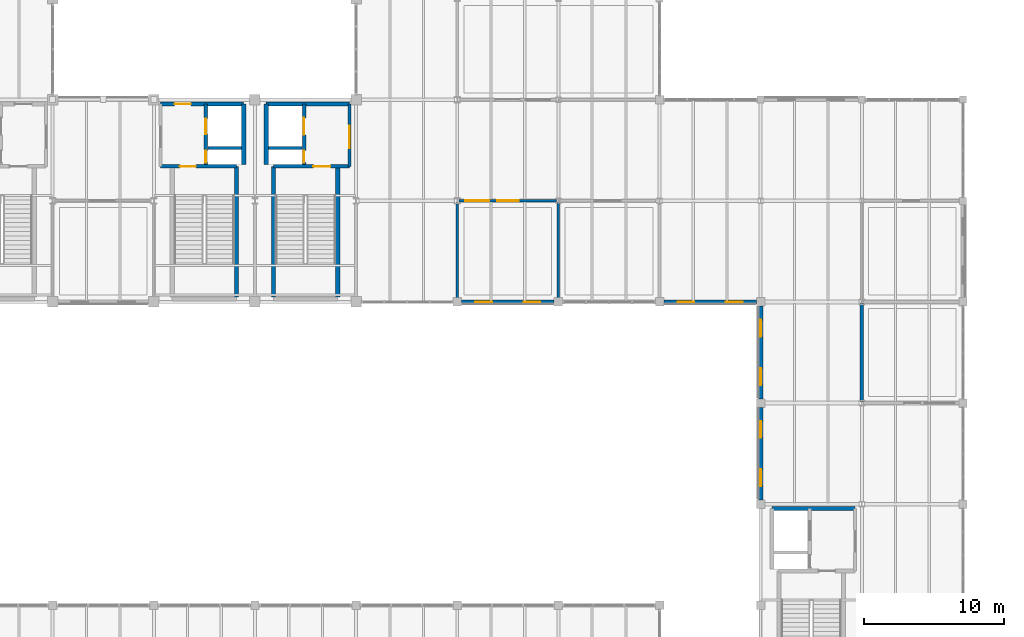
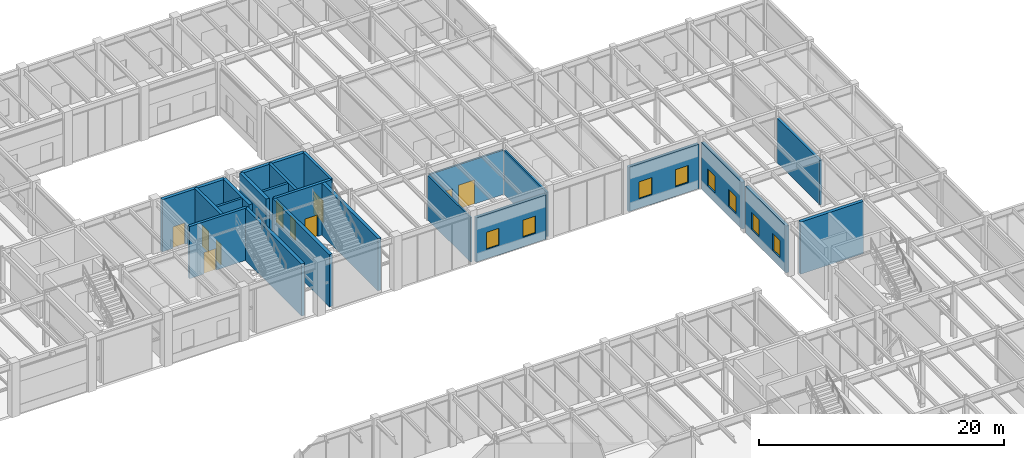
# One storey, part 42 of 97: 23 walls, 9 doors, 9 windows, 18 openings.
"""IFC4 building model written with IfcOpenShell, lengths in metres."""

from ifc_helpers import new_model, si_unit, direction, frame, frame_2d, origin, place, context, subcontext, project, spatial, rectangle, extrude, material, layer, layer_set, type_object, element, fill, save


model = new_model("IFC4")

# Units and contexts
model_context = context("Model", 3, precision=1e-05, world=origin(), true_north=direction((0.0, 1.0)))
body_context = subcontext(model_context, "Body", "Model", "MODEL_VIEW")
ifc_project = project(units=[si_unit("LENGTHUNIT", "METRE"), si_unit("AREAUNIT", "SQUARE_METRE"), si_unit("VOLUMEUNIT", "CUBIC_METRE"), si_unit("PLANEANGLEUNIT", "RADIAN"), si_unit("MASSUNIT", "GRAM", prefix="KILO")], contexts=[model_context])

# Site, building, storey
site_placement = place(None, origin())
site = spatial("IfcSite", under=ifc_project, at=site_placement, CompositionType="ELEMENT")
building_placement = place(site_placement, origin())
building = spatial("IfcBuilding", under=site, at=building_placement, Name="Sillqori Civic Hall", CompositionType="ELEMENT")
storey_placement = place(building_placement, origin())
storey = spatial("IfcBuildingStorey", under=building, at=storey_placement, Name="L01", CompositionType="ELEMENT", Elevation=0.0)

# Walls
ifc_material_1 = material(Name="Concrete C35/45 (H35)", Category="concrete")
ifc_layer_1 = layer(ifc_material_1, 0.219970703125)
ifc_layer_set_1 = layer_set([ifc_layer_1], Name="Concrete C35/45 (H35)")
wall_type_1 = type_object("IfcWallType", Name="CW-SHR-220", PredefinedType="SHEAR", material=ifc_layer_set_1)
for number, where, z_axis, x_axis, name in (
    (1, (83.050048828125, 90.14990234375, 0.0), (0.0, 0.0, 1.0), (1.0, 0.0, 0.0), "L01 C7 Lift-riser divider wall"),
    (2, (87.35009765625, 90.14990234375, 0.0), (0.0, 0.0, 1.0), (1.0, 0.0, 0.0), "L01 C8 Lift-riser divider wall"),
):
    element("IfcWall", number, at=place(storey_placement, frame(where, z_axis=z_axis, x_axis=x_axis)), inside=storey, type_object=wall_type_1, Name=name, PredefinedType="SHEAR", context=body_context, shape_type="SweptSolid", body=[
        extrude(rectangle(XDim=2.39990234375, YDim=0.219970703125, at=frame_2d((1.199951171875, 0.0))), origin(), (0.0, 0.0, 1.0), 5.199951171875),
    ])

# Wall, opening, door
wall_1_placement = place(storey_placement, frame((93.1201171875, 93.300048828125, 0.0), z_axis=(0.0, 0.0, 1.0), x_axis=(0.0, -1.0, 0.0)))
wall_1 = element("IfcWall", 3, at=wall_1_placement, inside=storey, type_object=wall_type_1, Name="L01 C8 firefighting lobby enclosure wall", PredefinedType="SHEAR", context=body_context, shape_type="SweptSolid", body=[
    extrude(rectangle(XDim=4.449951171875, YDim=0.219970703125, at=frame_2d((2.22509765625, 0.0))), origin(), (0.0, 0.0, 1.0), 5.199951171875),
])
opening_1_placement = place(wall_1_placement, frame((1.550048828125, 0.0, 0.0)))
opening_1 = element("IfcOpeningElement", 4, at=opening_1_placement, cuts=wall_1, Name="Opening FD-04", PredefinedType="OPENING", context=body_context, shape_type="SweptSolid", body=[
    extrude(rectangle(XDim=1.60009765625, YDim=2.199951171875, at=frame_2d((0.800048828125, 1.10009765625))), frame((0.0, 0.119873046875, 0.0), z_axis=(0.0, -1.0, 0.0), x_axis=(1.0, 0.0, 0.0)), (0.0, 0.0, 1.0), 0.239990234375),
])
ifc_material_2 = material(Name="Double-Leaf Firefighting Lobby Door", Category="steel")
door_type_1 = type_object("IfcDoorType", Name="FDR-LOB-160X220", OperationType="NOTDEFINED", PredefinedType="DOOR", material=ifc_material_2)
door_1_placement = place(opening_1_placement, origin())
door_1 = element("IfcDoor", 5, at=door_1_placement, inside=storey, type_object=door_type_1, Name="L01 C8 firefighting lobby exit door", OperationType="DOUBLE_DOOR_SINGLE_SWING", OverallHeight=2.199951171875, OverallWidth=1.60009765625, PredefinedType="DOOR", context=body_context, shape_type="SweptSolid", body=[
    extrude(rectangle(XDim=1.60009765625, YDim=2.199951171875, at=frame_2d((0.800048828125, 1.10009765625))), frame((0.0, 0.02490234375, 0.0), z_axis=(0.0, -1.0, 0.0), x_axis=(1.0, 0.0, 0.0)), (0.0, 0.0, 1.0), 0.050048828125),
])
fill(opening_1, door_1)

ifc_layer_2 = layer(ifc_material_1, 0.260009765625)
ifc_layer_set_2 = layer_set([ifc_layer_2], Name="Concrete C35/45 (H35)")
wall_type_2 = type_object("IfcWallType", Name="CW-SHR-260", PredefinedType="SHEAR", material=ifc_layer_set_2)
wall_2_placement = place(storey_placement, frame((79.679931640625, 88.85009765625, 0.0), z_axis=(0.0, 0.0, 1.0), x_axis=(1.0, 0.0, 0.0)))
wall_2 = element("IfcWall", 6, at=wall_2_placement, inside=storey, type_object=wall_type_2, Name="L01 C7 Stair-lobby fire wall", PredefinedType="SHEAR", context=body_context, shape_type="SweptSolid", body=[
    extrude(rectangle(XDim=5.41015625, YDim=0.260009765625, at=frame_2d((2.705078125, 0.0))), origin(), (0.0, 0.0, 1.0), 5.199951171875),
])
opening_2_placement = place(wall_2_placement, frame((1.3701171875, 0.0, 0.0)))
opening_2 = element("IfcOpeningElement", 7, at=opening_2_placement, cuts=wall_2, Name="Opening FD-01", PredefinedType="OPENING", context=body_context, shape_type="SweptSolid", body=[
    extrude(rectangle(XDim=1.14990234375, YDim=2.14990234375, at=frame_2d((0.574951171875, 1.074951171875))), frame((0.0, 0.139892578125, 0.0), z_axis=(0.0, -1.0, 0.0), x_axis=(1.0, 0.0, 0.0)), (0.0, 0.0, 1.0), 0.280029296875),
])
ifc_material_3 = material(Name="Galvanized Steel Fire Door FD90S", Category="steel")
door_type_2 = type_object("IfcDoorType", Name="FDR-STR-115X215", OperationType="NOTDEFINED", PredefinedType="DOOR", material=ifc_material_3)
door_2_placement = place(opening_2_placement, origin())
door_2 = element("IfcDoor", 8, at=door_2_placement, inside=storey, type_object=door_type_2, Name="L01 stair ST-07 fire door", OperationType="SINGLE_SWING_RIGHT", OverallHeight=2.14990234375, OverallWidth=1.14990234375, PredefinedType="DOOR", context=body_context, shape_type="SweptSolid", body=[
    extrude(rectangle(XDim=1.14990234375, YDim=2.14990234375, at=frame_2d((0.574951171875, 1.074951171875))), frame((0.0, 0.02490234375, 0.0), z_axis=(0.0, -1.0, 0.0), x_axis=(1.0, 0.0, 0.0)), (0.0, 0.0, 1.0), 0.050048828125),
])
fill(opening_2, door_2)

# Wall, openings, doors
wall_3_placement = place(storey_placement, frame((82.89990234375, 88.97998046875, 0.0), z_axis=(0.0, 0.0, 1.0), x_axis=(0.0, 1.0, 0.0)))
wall_3 = element("IfcWall", 9, at=wall_3_placement, inside=storey, type_object=wall_type_2, Name="L01 C7 Lift landing & riser front wall", PredefinedType="SHEAR", context=body_context, shape_type="SweptSolid", body=[
    extrude(rectangle(XDim=4.320068359375, YDim=0.260009765625, at=frame_2d((2.16015625, 0.0))), origin(), (0.0, 0.0, 1.0), 5.199951171875),
])
opening_3_placement = place(wall_3_placement, frame((2.169921875, 0.0, 0.0)))
opening_3 = element("IfcOpeningElement", 10, at=opening_3_placement, cuts=wall_3, Name="Opening LD-01", PredefinedType="OPENING", context=body_context, shape_type="SweptSolid", body=[
    extrude(rectangle(XDim=1.10009765625, YDim=2.14990234375, at=frame_2d((0.550048828125, 1.074951171875))), frame((0.0, 0.139892578125, 0.0), z_axis=(0.0, -1.0, 0.0), x_axis=(1.0, 0.0, 0.0)), (0.0, 0.0, 1.0), 0.280029296875),
])
opening_4_placement = place(wall_3_placement, frame((0.14501953125, 0.0, 0.0)))
opening_4 = element("IfcOpeningElement", 11, at=opening_4_placement, cuts=wall_3, Name="Opening FD-05", PredefinedType="OPENING", context=body_context, shape_type="SweptSolid", body=[
    extrude(rectangle(XDim=0.85009765625, YDim=2.050048828125, at=frame_2d((0.425048828125, 1.02490234375))), frame((0.0, 0.139892578125, 0.0), z_axis=(0.0, -1.0, 0.0), x_axis=(1.0, 0.0, 0.0)), (0.0, 0.0, 1.0), 0.280029296875),
])
ifc_material_4 = material(Name="Steel Riser Access Fire Door", Category="steel")
door_type_3 = type_object("IfcDoorType", Name="FDR-RSR-085X205", OperationType="NOTDEFINED", PredefinedType="DOOR", material=ifc_material_4)
door_3_placement = place(opening_4_placement, origin())
door_3 = element("IfcDoor", 12, at=door_3_placement, inside=storey, type_object=door_type_3, Name="L01 MEP riser C7 fire access door", OperationType="SINGLE_SWING_LEFT", OverallHeight=2.050048828125, OverallWidth=0.85009765625, PredefinedType="DOOR", context=body_context, shape_type="SweptSolid", body=[
    extrude(rectangle(XDim=0.85009765625, YDim=2.050048828125, at=frame_2d((0.425048828125, 1.02490234375))), frame((0.0, 0.02490234375, 0.0), z_axis=(0.0, -1.0, 0.0), x_axis=(1.0, 0.0, 0.0)), (0.0, 0.0, 1.0), 0.050048828125),
])
fill(opening_4, door_3)
ifc_material_5 = material(Name="Stainless Steel Lift Landing Door", Category="steel")
door_type_4 = type_object("IfcDoorType", Name="LDR-PASS-110X215", OperationType="NOTDEFINED", PredefinedType="DOOR", material=ifc_material_5)
door_4_placement = place(opening_3_placement, origin())
door_4 = element("IfcDoor", 13, at=door_4_placement, inside=storey, type_object=door_type_4, Name="L01 lift LF-04 sliding landing door", OperationType="DOUBLE_DOOR_SLIDING", OverallHeight=2.14990234375, OverallWidth=1.10009765625, PredefinedType="DOOR", context=body_context, shape_type="SweptSolid", body=[
    extrude(rectangle(XDim=1.10009765625, YDim=2.14990234375, at=frame_2d((0.550048828125, 1.074951171875))), frame((0.0, 0.02490234375, 0.0), z_axis=(0.0, -1.0, 0.0), x_axis=(1.0, 0.0, 0.0)), (0.0, 0.0, 1.0), 0.050048828125),
])
fill(opening_3, door_4)

# Wall, opening, door
wall_4_placement = place(storey_placement, frame((87.7099609375, 88.85009765625, 0.0), z_axis=(0.0, 0.0, 1.0), x_axis=(1.0, 0.0, 0.0)))
wall_4 = element("IfcWall", 14, at=wall_4_placement, inside=storey, type_object=wall_type_2, Name="L01 C8 Stair-lobby fire wall", PredefinedType="SHEAR", context=body_context, shape_type="SweptSolid", body=[
    extrude(rectangle(XDim=5.41015625, YDim=0.260009765625, at=frame_2d((2.705078125, 0.0))), origin(), (0.0, 0.0, 1.0), 5.199951171875),
])
opening_5_placement = place(wall_4_placement, frame((2.840087890625, 0.0, 0.0)))
opening_5 = element("IfcOpeningElement", 15, at=opening_5_placement, cuts=wall_4, Name="Opening FD-02", PredefinedType="OPENING", context=body_context, shape_type="SweptSolid", body=[
    extrude(rectangle(XDim=1.219970703125, YDim=2.14990234375, at=frame_2d((0.60986328125, 1.074951171875))), frame((0.0, 0.139892578125, 0.0), z_axis=(0.0, -1.0, 0.0), x_axis=(1.0, 0.0, 0.0)), (0.0, 0.0, 1.0), 0.280029296875),
])
ifc_material_6 = material(Name="Galvanized Steel Fire Door FD120S", Category="steel")
door_type_5 = type_object("IfcDoorType", Name="FDR-STR-122X215", OperationType="NOTDEFINED", PredefinedType="DOOR", material=ifc_material_6)
door_5_placement = place(opening_5_placement, origin())
door_5 = element("IfcDoor", 16, at=door_5_placement, inside=storey, type_object=door_type_5, Name="L01 stair ST-08 fire door", OperationType="SINGLE_SWING_RIGHT", OverallHeight=2.14990234375, OverallWidth=1.219970703125, PredefinedType="DOOR", context=body_context, shape_type="SweptSolid", body=[
    extrude(rectangle(XDim=1.219970703125, YDim=2.14990234375, at=frame_2d((0.60986328125, 1.074951171875))), frame((0.0, 0.02490234375, 0.0), z_axis=(0.0, -1.0, 0.0), x_axis=(1.0, 0.0, 0.0)), (0.0, 0.0, 1.0), 0.050048828125),
])
fill(opening_5, door_5)

# Wall, openings, doors
wall_5_placement = place(storey_placement, frame((89.89990234375, 93.300048828125, 0.0), z_axis=(0.0, 0.0, 1.0), x_axis=(0.0, -1.0, 0.0)))
wall_5 = element("IfcWall", 17, at=wall_5_placement, inside=storey, type_object=wall_type_2, Name="L01 C8 Lift landing & riser front wall", PredefinedType="SHEAR", context=body_context, shape_type="SweptSolid", body=[
    extrude(rectangle(XDim=4.320068359375, YDim=0.260009765625, at=frame_2d((2.16015625, 0.0))), origin(), (0.0, 0.0, 1.0), 5.199951171875),
])
opening_6_placement = place(wall_5_placement, frame((1.0, 0.0, 0.0)))
opening_6 = element("IfcOpeningElement", 18, at=opening_6_placement, cuts=wall_5, Name="Opening LD-02", PredefinedType="OPENING", context=body_context, shape_type="SweptSolid", body=[
    extrude(rectangle(XDim=1.199951171875, YDim=2.14990234375, at=frame_2d((0.60009765625, 1.074951171875))), frame((0.0, 0.139892578125, 0.0), z_axis=(0.0, -1.0, 0.0), x_axis=(1.0, 0.0, 0.0)), (0.0, 0.0, 1.0), 0.280029296875),
])
opening_7_placement = place(wall_5_placement, frame((3.324951171875, 0.0, 0.0)))
opening_7 = element("IfcOpeningElement", 19, at=opening_7_placement, cuts=wall_5, Name="Opening FD-05", PredefinedType="OPENING", context=body_context, shape_type="SweptSolid", body=[
    extrude(rectangle(XDim=0.85009765625, YDim=2.050048828125, at=frame_2d((0.425048828125, 1.02490234375))), frame((0.0, 0.139892578125, 0.0), z_axis=(0.0, -1.0, 0.0), x_axis=(1.0, 0.0, 0.0)), (0.0, 0.0, 1.0), 0.280029296875),
])
door_6_placement = place(opening_7_placement, origin())
door_6 = element("IfcDoor", 20, at=door_6_placement, inside=storey, type_object=door_type_3, Name="L01 MEP riser C8 fire access door", OperationType="SINGLE_SWING_LEFT", OverallHeight=2.050048828125, OverallWidth=0.85009765625, PredefinedType="DOOR", context=body_context, shape_type="SweptSolid", body=[
    extrude(rectangle(XDim=0.85009765625, YDim=2.050048828125, at=frame_2d((0.425048828125, 1.02490234375))), frame((0.0, 0.02490234375, 0.0), z_axis=(0.0, -1.0, 0.0), x_axis=(1.0, 0.0, 0.0)), (0.0, 0.0, 1.0), 0.050048828125),
])
fill(opening_7, door_6)
ifc_material_7 = material(Name="Firefighting Lift Landing Door", Category="steel")
door_type_6 = type_object("IfcDoorType", Name="LDR-FIRE-120X215", OperationType="NOTDEFINED", PredefinedType="DOOR", material=ifc_material_7)
door_7_placement = place(opening_6_placement, origin())
door_7 = element("IfcDoor", 21, at=door_7_placement, inside=storey, type_object=door_type_6, Name="L01 lift LF-02 sliding landing door", OperationType="DOUBLE_DOOR_SLIDING", OverallHeight=2.14990234375, OverallWidth=1.199951171875, PredefinedType="DOOR", context=body_context, shape_type="SweptSolid", body=[
    extrude(rectangle(XDim=1.199951171875, YDim=2.14990234375, at=frame_2d((0.60009765625, 1.074951171875))), frame((0.0, 0.02490234375, 0.0), z_axis=(0.0, -1.0, 0.0), x_axis=(1.0, 0.0, 0.0)), (0.0, 0.0, 1.0), 0.050048828125),
])
fill(opening_6, door_7)

# Walls
ifc_layer_3 = layer(ifc_material_1, 0.300048828125)
ifc_layer_set_3 = layer_set([ifc_layer_3], Name="Concrete C35/45 (H35)")
wall_type_3 = type_object("IfcWallType", Name="CW-SHR-300", PredefinedType="SHEAR", material=ifc_layer_set_3)
wall_6_placement = place(storey_placement, frame((123.199951171875, 64.5, 0.0), z_axis=(0.0, 0.0, 1.0), x_axis=(1.0, 0.0, 0.0)))
element("IfcWall", 22, at=wall_6_placement, inside=storey, type_object=wall_type_3, Name="L01 C2 Core north shear wall", PredefinedType="SHEAR", context=body_context, shape_type="SweptSolid", body=[
    extrude(rectangle(XDim=5.920166015625, YDim=0.300048828125, at=frame_2d((2.9599609375, 0.0))), origin(), (0.0, 0.0, 1.0), 5.199951171875),
])
wall_7_placement = place(storey_placement, frame((85.090087890625, 79.550048828125, 0.0), z_axis=(0.0, 0.0, 1.0), x_axis=(0.0, 1.0, 0.0)))
element("IfcWall", 23, at=wall_7_placement, inside=storey, type_object=wall_type_3, Name="L01 C7 Stair east shear wall", PredefinedType="SHEAR", context=body_context, shape_type="SweptSolid", body=[
    extrude(rectangle(XDim=9.300048828125, YDim=0.300048828125, at=frame_2d((4.64990234375, 0.0))), origin(), (0.0, 0.0, 1.0), 5.199951171875),
])
wall_8_placement = place(storey_placement, frame((85.60009765625, 88.97998046875, 0.0), z_axis=(0.0, 0.0, 1.0), x_axis=(0.0, 1.0, 0.0)))
element("IfcWall", 24, at=wall_8_placement, inside=storey, type_object=wall_type_3, Name="L01 C7 Lift shaft east shear wall", PredefinedType="SHEAR", context=body_context, shape_type="SweptSolid", body=[
    extrude(rectangle(XDim=4.320068359375, YDim=0.300048828125, at=frame_2d((2.16015625, 0.0))), origin(), (0.0, 0.0, 1.0), 5.199951171875),
])

# Wall, opening, door
wall_9_placement = place(storey_placement, frame((79.679931640625, 93.300048828125, 0.0), z_axis=(0.0, 0.0, 1.0), x_axis=(1.0, 0.0, 0.0)))
wall_9 = element("IfcWall", 25, at=wall_9_placement, inside=storey, type_object=wall_type_3, Name="L01 C7 Core north shear wall", PredefinedType="SHEAR", context=body_context, shape_type="SweptSolid", body=[
    extrude(rectangle(XDim=5.920166015625, YDim=0.300048828125, at=frame_2d((2.9599609375, 0.0))), origin(), (0.0, 0.0, 1.0), 5.199951171875),
])
opening_8_placement = place(wall_9_placement, frame((1.0, 0.0, 0.0)))
opening_8 = element("IfcOpeningElement", 26, at=opening_8_placement, cuts=wall_9, Name="Opening FD-01", PredefinedType="OPENING", context=body_context, shape_type="SweptSolid", body=[
    extrude(rectangle(XDim=1.14990234375, YDim=2.14990234375, at=frame_2d((0.574951171875, 1.074951171875))), frame((0.0, 0.159912109375, 0.0), z_axis=(0.0, -1.0, 0.0), x_axis=(1.0, 0.0, 0.0)), (0.0, 0.0, 1.0), 0.320068359375),
])
door_8_placement = place(opening_8_placement, origin())
door_8 = element("IfcDoor", 27, at=door_8_placement, inside=storey, type_object=door_type_2, Name="L01 C7 north protected corridor exit door", OperationType="SINGLE_SWING_LEFT", OverallHeight=2.14990234375, OverallWidth=1.14990234375, PredefinedType="DOOR", context=body_context, shape_type="SweptSolid", body=[
    extrude(rectangle(XDim=1.14990234375, YDim=2.14990234375, at=frame_2d((0.574951171875, 1.074951171875))), frame((0.0, 0.02490234375, 0.0), z_axis=(0.0, -1.0, 0.0), x_axis=(1.0, 0.0, 0.0)), (0.0, 0.0, 1.0), 0.050048828125),
])
fill(opening_8, door_8)

# Walls
for number, where, z_axis, x_axis, name in (
    (28, (87.7099609375, 79.550048828125, 0.0), (0.0, 0.0, 1.0), (0.0, 1.0, 0.0), "L01 C8 Stair west shear wall"),
    (29, (92.2900390625, 79.550048828125, 0.0), (0.0, 0.0, 1.0), (0.0, 1.0, 0.0), "L01 C8 Stair east shear wall"),
):
    element("IfcWall", number, at=place(storey_placement, frame(where, z_axis=z_axis, x_axis=x_axis)), inside=storey, type_object=wall_type_3, Name=name, PredefinedType="SHEAR", context=body_context, shape_type="SweptSolid", body=[
        extrude(rectangle(XDim=9.300048828125, YDim=0.300048828125, at=frame_2d((4.64990234375, 0.0))), origin(), (0.0, 0.0, 1.0), 5.199951171875),
    ])
wall_10_placement = place(storey_placement, frame((87.199951171875, 88.97998046875, 0.0), z_axis=(0.0, 0.0, 1.0), x_axis=(0.0, 1.0, 0.0)))
element("IfcWall", 30, at=wall_10_placement, inside=storey, type_object=wall_type_3, Name="L01 C8 Lift shaft west shear wall", PredefinedType="SHEAR", context=body_context, shape_type="SweptSolid", body=[
    extrude(rectangle(XDim=4.320068359375, YDim=0.300048828125, at=frame_2d((2.16015625, 0.0))), origin(), (0.0, 0.0, 1.0), 5.199951171875),
])
wall_11_placement = place(storey_placement, frame((87.199951171875, 93.300048828125, 0.0), z_axis=(0.0, 0.0, 1.0), x_axis=(1.0, 0.0, 0.0)))
element("IfcWall", 31, at=wall_11_placement, inside=storey, type_object=wall_type_3, Name="L01 C8 Core north shear wall", PredefinedType="SHEAR", context=body_context, shape_type="SweptSolid", body=[
    extrude(rectangle(XDim=5.920166015625, YDim=0.300048828125, at=frame_2d((2.9599609375, 0.0))), origin(), (0.0, 0.0, 1.0), 5.199951171875),
])

# Wall, openings, windows
ifc_material_8 = material(Name="Precast concrete C40/50 (H40)", Category="concrete")
ifc_layer_4 = layer(ifc_material_8, 0.280029296875)
ifc_layer_set_4 = layer_set([ifc_layer_4], Name="Precast concrete C40/50 (H40)")
wall_type_4 = type_object("IfcWallType", Name="EW-LIME-280", PredefinedType="SOLIDWALL", material=ifc_layer_set_4)
wall_12_placement = place(storey_placement, frame((107.699951171875, 79.199951171875, 0.0), z_axis=(0.0, 0.0, 1.0), x_axis=(-1.0, 0.0, 0.0)))
wall_12 = element("IfcWall", 32, at=wall_12_placement, inside=storey, type_object=wall_type_4, Name="L01 V4 exterior wall L01-14-11-S", PredefinedType="SOLIDWALL", context=body_context, shape_type="SweptSolid", body=[
    extrude(rectangle(XDim=6.599853515625, YDim=0.280029296875, at=frame_2d((3.2998046875, 0.0))), origin(), (0.0, 0.0, 1.0), 4.43798828125),
])
opening_9_placement = place(wall_12_placement, frame((0.98388671875, 0.0, 0.949951171875)))
opening_9 = element("IfcOpeningElement", 33, at=opening_9_placement, cuts=wall_12, Name="Opening W-22", PredefinedType="OPENING", context=body_context, shape_type="SweptSolid", body=[
    extrude(rectangle(XDim=1.199951171875, YDim=1.699951171875, at=frame_2d((0.60009765625, 0.85009765625))), frame((0.0, 0.14990234375, 0.0), z_axis=(0.0, -1.0, 0.0), x_axis=(1.0, 0.0, 0.0)), (0.0, 0.0, 1.0), 0.300048828125),
])
opening_10_placement = place(wall_12_placement, frame((4.416015625, 0.0, 0.949951171875)))
opening_10 = element("IfcOpeningElement", 34, at=opening_10_placement, cuts=wall_12, Name="Opening W-22", PredefinedType="OPENING", context=body_context, shape_type="SweptSolid", body=[
    extrude(rectangle(XDim=1.199951171875, YDim=1.699951171875, at=frame_2d((0.60009765625, 0.85009765625))), frame((0.0, 0.14990234375, 0.0), z_axis=(0.0, -1.0, 0.0), x_axis=(1.0, 0.0, 0.0)), (0.0, 0.0, 1.0), 0.300048828125),
])
ifc_material_9 = material(Name="Thermally Broken Aluminium Low-E Window", Category="aluminium")
window_type_1 = type_object("IfcWindowType", Name="WIN-V5-120X170", PartitioningType="SINGLE_PANEL", PredefinedType="WINDOW", material=ifc_material_9)
window_1_placement = place(opening_9_placement, origin())
window_1 = element("IfcWindow", 35, at=window_1_placement, inside=storey, type_object=window_type_1, Name="L01 V4 window L01-14-11-S.1", OverallHeight=1.699951171875, OverallWidth=1.199951171875, PartitioningType="SINGLE_PANEL", PredefinedType="WINDOW", context=body_context, shape_type="SweptSolid", body=[
    extrude(rectangle(XDim=1.199951171875, YDim=1.699951171875, at=frame_2d((0.60009765625, 0.85009765625))), frame((0.0, 0.030029296875, 0.0), z_axis=(0.0, -1.0, 0.0), x_axis=(1.0, 0.0, 0.0)), (0.0, 0.0, 1.0), 0.06005859375),
])
fill(opening_9, window_1)
window_2_placement = place(opening_10_placement, origin())
window_2 = element("IfcWindow", 36, at=window_2_placement, inside=storey, type_object=window_type_1, Name="L01 V4 window L01-14-11-S.2", OverallHeight=1.699951171875, OverallWidth=1.199951171875, PartitioningType="SINGLE_PANEL", PredefinedType="WINDOW", context=body_context, shape_type="SweptSolid", body=[
    extrude(rectangle(XDim=1.199951171875, YDim=1.699951171875, at=frame_2d((0.60009765625, 0.85009765625))), frame((0.0, 0.030029296875, 0.0), z_axis=(0.0, -1.0, 0.0), x_axis=(1.0, 0.0, 0.0)), (0.0, 0.0, 1.0), 0.06005859375),
])
fill(opening_10, window_2)

wall_13_placement = place(storey_placement, frame((122.10009765625, 79.199951171875, 0.0), z_axis=(0.0, 0.0, 1.0), x_axis=(-1.0, 0.0, 0.0)))
wall_13 = element("IfcWall", 37, at=wall_13_placement, inside=storey, type_object=wall_type_4, Name="L01 V4 exterior wall L01-16-11-S", PredefinedType="SOLIDWALL", context=body_context, shape_type="SweptSolid", body=[
    extrude(rectangle(XDim=6.60009765625, YDim=0.280029296875, at=frame_2d((3.300048828125, 0.0))), origin(), (0.0, 0.0, 1.0), 4.43798828125),
])
opening_11_placement = place(wall_13_placement, frame((0.98388671875, 0.0, 0.949951171875)))
opening_11 = element("IfcOpeningElement", 38, at=opening_11_placement, cuts=wall_13, Name="Opening W-22", PredefinedType="OPENING", context=body_context, shape_type="SweptSolid", body=[
    extrude(rectangle(XDim=1.199951171875, YDim=1.699951171875, at=frame_2d((0.60009765625, 0.85009765625))), frame((0.0, 0.14990234375, 0.0), z_axis=(0.0, -1.0, 0.0), x_axis=(1.0, 0.0, 0.0)), (0.0, 0.0, 1.0), 0.300048828125),
])
opening_12_placement = place(wall_13_placement, frame((4.416015625, 0.0, 0.949951171875)))
opening_12 = element("IfcOpeningElement", 39, at=opening_12_placement, cuts=wall_13, Name="Opening W-22", PredefinedType="OPENING", context=body_context, shape_type="SweptSolid", body=[
    extrude(rectangle(XDim=1.199951171875, YDim=1.699951171875, at=frame_2d((0.60009765625, 0.85009765625))), frame((0.0, 0.14990234375, 0.0), z_axis=(0.0, -1.0, 0.0), x_axis=(1.0, 0.0, 0.0)), (0.0, 0.0, 1.0), 0.300048828125),
])
window_3_placement = place(opening_11_placement, origin())
window_3 = element("IfcWindow", 40, at=window_3_placement, inside=storey, type_object=window_type_1, Name="L01 V4 window L01-16-11-S.1", OverallHeight=1.699951171875, OverallWidth=1.199951171875, PartitioningType="SINGLE_PANEL", PredefinedType="WINDOW", context=body_context, shape_type="SweptSolid", body=[
    extrude(rectangle(XDim=1.199951171875, YDim=1.699951171875, at=frame_2d((0.60009765625, 0.85009765625))), frame((0.0, 0.030029296875, 0.0), z_axis=(0.0, -1.0, 0.0), x_axis=(1.0, 0.0, 0.0)), (0.0, 0.0, 1.0), 0.06005859375),
])
fill(opening_11, window_3)
window_4_placement = place(opening_12_placement, origin())
window_4 = element("IfcWindow", 41, at=window_4_placement, inside=storey, type_object=window_type_1, Name="L01 V4 window L01-16-11-S.2", OverallHeight=1.699951171875, OverallWidth=1.199951171875, PartitioningType="SINGLE_PANEL", PredefinedType="WINDOW", context=body_context, shape_type="SweptSolid", body=[
    extrude(rectangle(XDim=1.199951171875, YDim=1.699951171875, at=frame_2d((0.60009765625, 0.85009765625))), frame((0.0, 0.030029296875, 0.0), z_axis=(0.0, -1.0, 0.0), x_axis=(1.0, 0.0, 0.0)), (0.0, 0.0, 1.0), 0.06005859375),
])
fill(opening_12, window_4)

ifc_layer_5 = layer(ifc_material_8, 0.300048828125)
ifc_layer_set_5 = layer_set([ifc_layer_5], Name="Precast concrete C40/50 (H40)")
wall_type_5 = type_object("IfcWallType", Name="EW-LIME-300", PredefinedType="SOLIDWALL", material=ifc_layer_set_5)
wall_14_placement = place(storey_placement, frame((122.39990234375, 65.10009765625, 0.0), z_axis=(0.0, 0.0, 1.0), x_axis=(0.0, 1.0, 0.0)))
wall_14 = element("IfcWall", 42, at=wall_14_placement, inside=storey, type_object=wall_type_5, Name="L01 V3 exterior wall L01-17-09-W", PredefinedType="SOLIDWALL", context=body_context, shape_type="SweptSolid", body=[
    extrude(rectangle(XDim=6.599853515625, YDim=0.300048828125, at=frame_2d((3.2998046875, 0.0))), origin(), (0.0, 0.0, 1.0), 4.6669921875),
])
opening_13_placement = place(wall_14_placement, frame((0.98388671875, 0.0, 0.949951171875)))
opening_13 = element("IfcOpeningElement", 43, at=opening_13_placement, cuts=wall_14, Name="Opening W-22", PredefinedType="OPENING", context=body_context, shape_type="SweptSolid", body=[
    extrude(rectangle(XDim=1.199951171875, YDim=1.699951171875, at=frame_2d((0.60009765625, 0.85009765625))), frame((0.0, 0.159912109375, 0.0), z_axis=(0.0, -1.0, 0.0), x_axis=(1.0, 0.0, 0.0)), (0.0, 0.0, 1.0), 0.320068359375),
])
opening_14_placement = place(wall_14_placement, frame((4.416015625, 0.0, 0.949951171875)))
opening_14 = element("IfcOpeningElement", 44, at=opening_14_placement, cuts=wall_14, Name="Opening W-22", PredefinedType="OPENING", context=body_context, shape_type="SweptSolid", body=[
    extrude(rectangle(XDim=1.199951171875, YDim=1.699951171875, at=frame_2d((0.60009765625, 0.85009765625))), frame((0.0, 0.159912109375, 0.0), z_axis=(0.0, -1.0, 0.0), x_axis=(1.0, 0.0, 0.0)), (0.0, 0.0, 1.0), 0.320068359375),
])
window_5_placement = place(opening_13_placement, origin())
window_5 = element("IfcWindow", 45, at=window_5_placement, inside=storey, type_object=window_type_1, Name="L01 V3 window L01-17-09-W.1", OverallHeight=1.699951171875, OverallWidth=1.199951171875, PartitioningType="SINGLE_PANEL", PredefinedType="WINDOW", context=body_context, shape_type="SweptSolid", body=[
    extrude(rectangle(XDim=1.199951171875, YDim=1.699951171875, at=frame_2d((0.60009765625, 0.85009765625))), frame((0.0, 0.030029296875, 0.0), z_axis=(0.0, -1.0, 0.0), x_axis=(1.0, 0.0, 0.0)), (0.0, 0.0, 1.0), 0.06005859375),
])
fill(opening_13, window_5)
window_6_placement = place(opening_14_placement, origin())
window_6 = element("IfcWindow", 46, at=window_6_placement, inside=storey, type_object=window_type_1, Name="L01 V3 window L01-17-09-W.2", OverallHeight=1.699951171875, OverallWidth=1.199951171875, PartitioningType="SINGLE_PANEL", PredefinedType="WINDOW", context=body_context, shape_type="SweptSolid", body=[
    extrude(rectangle(XDim=1.199951171875, YDim=1.699951171875, at=frame_2d((0.60009765625, 0.85009765625))), frame((0.0, 0.030029296875, 0.0), z_axis=(0.0, -1.0, 0.0), x_axis=(1.0, 0.0, 0.0)), (0.0, 0.0, 1.0), 0.06005859375),
])
fill(opening_14, window_6)

wall_15_placement = place(storey_placement, frame((122.39990234375, 72.300048828125, 0.0), z_axis=(0.0, 0.0, 1.0), x_axis=(0.0, 1.0, 0.0)))
wall_15 = element("IfcWall", 47, at=wall_15_placement, inside=storey, type_object=wall_type_5, Name="L01 V3 exterior wall L01-17-10-W", PredefinedType="SOLIDWALL", context=body_context, shape_type="SweptSolid", body=[
    extrude(rectangle(XDim=6.599853515625, YDim=0.300048828125, at=frame_2d((3.2998046875, 0.0))), origin(), (0.0, 0.0, 1.0), 4.6669921875),
])
opening_15_placement = place(wall_15_placement, frame((0.98388671875, 0.0, 0.949951171875)))
opening_15 = element("IfcOpeningElement", 48, at=opening_15_placement, cuts=wall_15, Name="Opening W-22", PredefinedType="OPENING", context=body_context, shape_type="SweptSolid", body=[
    extrude(rectangle(XDim=1.199951171875, YDim=1.699951171875, at=frame_2d((0.60009765625, 0.85009765625))), frame((0.0, 0.159912109375, 0.0), z_axis=(0.0, -1.0, 0.0), x_axis=(1.0, 0.0, 0.0)), (0.0, 0.0, 1.0), 0.320068359375),
])
opening_16_placement = place(wall_15_placement, frame((4.416015625, 0.0, 0.949951171875)))
opening_16 = element("IfcOpeningElement", 49, at=opening_16_placement, cuts=wall_15, Name="Opening W-22", PredefinedType="OPENING", context=body_context, shape_type="SweptSolid", body=[
    extrude(rectangle(XDim=1.199951171875, YDim=1.699951171875, at=frame_2d((0.60009765625, 0.85009765625))), frame((0.0, 0.159912109375, 0.0), z_axis=(0.0, -1.0, 0.0), x_axis=(1.0, 0.0, 0.0)), (0.0, 0.0, 1.0), 0.320068359375),
])
window_7_placement = place(opening_15_placement, origin())
window_7 = element("IfcWindow", 50, at=window_7_placement, inside=storey, type_object=window_type_1, Name="L01 V3 window L01-17-10-W.1", OverallHeight=1.699951171875, OverallWidth=1.199951171875, PartitioningType="SINGLE_PANEL", PredefinedType="WINDOW", context=body_context, shape_type="SweptSolid", body=[
    extrude(rectangle(XDim=1.199951171875, YDim=1.699951171875, at=frame_2d((0.60009765625, 0.85009765625))), frame((0.0, 0.030029296875, 0.0), z_axis=(0.0, -1.0, 0.0), x_axis=(1.0, 0.0, 0.0)), (0.0, 0.0, 1.0), 0.06005859375),
])
fill(opening_15, window_7)
window_8_placement = place(opening_16_placement, origin())
window_8 = element("IfcWindow", 51, at=window_8_placement, inside=storey, type_object=window_type_1, Name="L01 V3 window L01-17-10-W.2", OverallHeight=1.699951171875, OverallWidth=1.199951171875, PartitioningType="SINGLE_PANEL", PredefinedType="WINDOW", context=body_context, shape_type="SweptSolid", body=[
    extrude(rectangle(XDim=1.199951171875, YDim=1.699951171875, at=frame_2d((0.60009765625, 0.85009765625))), frame((0.0, 0.030029296875, 0.0), z_axis=(0.0, -1.0, 0.0), x_axis=(1.0, 0.0, 0.0)), (0.0, 0.0, 1.0), 0.06005859375),
])
fill(opening_16, window_8)

# Wall, openings, door, window
ifc_material_10 = material(Name="Concrete C25/30 (H25)", Category="concrete")
ifc_layer_6 = layer(ifc_material_10, 0.1650390625)
ifc_layer_set_6 = layer_set([ifc_layer_6], Name="Concrete C25/30 (H25)")
wall_type_6 = type_object("IfcWallType", Name="PT-MAS-165", PredefinedType="PARTITIONING", material=ifc_layer_set_6)
wall_16_placement = place(storey_placement, frame((100.919921875, 86.39990234375, 0.0), z_axis=(0.0, 0.0, 1.0), x_axis=(1.0, 0.0, 0.0)))
wall_16 = element("IfcWall", 52, at=wall_16_placement, inside=storey, type_object=wall_type_6, Name="Ombudsman Public Consultation Room L01-08 partition N1", PredefinedType="PARTITIONING", context=body_context, shape_type="SweptSolid", body=[
    extrude(rectangle(XDim=6.9599609375, YDim=0.1650390625, at=frame_2d((3.47998046875, 0.0))), origin(), (0.0, 0.0, 1.0), 4.427978515625),
])
opening_17_placement = place(wall_16_placement, frame((2.719970703125, 0.0, 0.0)))
opening_17 = element("IfcOpeningElement", 53, at=opening_17_placement, cuts=wall_16, Name="Opening ID-17", PredefinedType="OPENING", context=body_context, shape_type="SweptSolid", body=[
    extrude(rectangle(XDim=1.52001953125, YDim=2.39990234375, at=frame_2d((0.760009765625, 1.199951171875))), frame((0.0, 0.092529296875, 0.0), z_axis=(0.0, -1.0, 0.0), x_axis=(1.0, 0.0, 0.0)), (0.0, 0.0, 1.0), 0.18505859375),
])
opening_18_placement = place(wall_16_placement, frame((0.449951171875, 0.0, 1.050048828125)))
opening_18 = element("IfcOpeningElement", 54, at=opening_18_placement, cuts=wall_16, Name="Opening IW-13", PredefinedType="OPENING", context=body_context, shape_type="SweptSolid", body=[
    extrude(rectangle(XDim=1.699951171875, YDim=1.179931640625, at=frame_2d((0.85009765625, 0.58984375))), frame((0.0, 0.092529296875, 0.0), z_axis=(0.0, -1.0, 0.0), x_axis=(1.0, 0.0, 0.0)), (0.0, 0.0, 1.0), 0.18505859375),
])
ifc_material_11 = material(Name="Mayoral Suite Ceremonial Door", Category="timber")
door_type_7 = type_object("IfcDoorType", Name="IDR-MAY-152X240", OperationType="NOTDEFINED", PredefinedType="DOOR", material=ifc_material_11)
door_9_placement = place(opening_17_placement, origin())
door_9 = element("IfcDoor", 55, at=door_9_placement, inside=storey, type_object=door_type_7, Name="Ombudsman Public Consultation Room L01-08 entrance door", OperationType="DOUBLE_DOOR_SINGLE_SWING", OverallHeight=2.39990234375, OverallWidth=1.52001953125, PredefinedType="DOOR", context=body_context, shape_type="SweptSolid", body=[
    extrude(rectangle(XDim=1.52001953125, YDim=2.39990234375, at=frame_2d((0.760009765625, 1.199951171875))), frame((0.0, 0.02490234375, 0.0), z_axis=(0.0, -1.0, 0.0), x_axis=(1.0, 0.0, 0.0)), (0.0, 0.0, 1.0), 0.050048828125),
])
fill(opening_17, door_9)
ifc_material_12 = material(Name="Acoustic Laminated Interior Clerestory Glazing", Category="glass")
window_type_2 = type_object("IfcWindowType", Name="IWN-STU-170X118", PartitioningType="SINGLE_PANEL", PredefinedType="WINDOW", material=ifc_material_12)
window_9_placement = place(opening_18_placement, origin())
window_9 = element("IfcWindow", 56, at=window_9_placement, inside=storey, type_object=window_type_2, Name="Ombudsman Public Consultation Room L01-08 borrowed-light screen", OverallHeight=1.179931640625, OverallWidth=1.699951171875, PartitioningType="SINGLE_PANEL", PredefinedType="WINDOW", context=body_context, shape_type="SweptSolid", body=[
    extrude(rectangle(XDim=1.699951171875, YDim=1.179931640625, at=frame_2d((0.85009765625, 0.58984375))), frame((0.0, 0.030029296875, 0.0), z_axis=(0.0, -1.0, 0.0), x_axis=(1.0, 0.0, 0.0)), (0.0, 0.0, 1.0), 0.06005859375),
])
fill(opening_18, window_9)

# Walls
for number, where, z_axis, x_axis, name in (
    (57, (100.800048828125, 79.320068359375, 0.0), (0.0, 0.0, 1.0), (0.0, 1.0, 0.0), "Ombudsman Public Consultation Room L01-08 partition W2"),
    (58, (108.0, 86.280029296875, 0.0), (0.0, 0.0, 1.0), (0.0, -1.0, 0.0), "Ombudsman Public Consultation Room L01-08 partition E3"),
):
    element("IfcWall", number, at=place(storey_placement, frame(where, z_axis=z_axis, x_axis=x_axis)), inside=storey, type_object=wall_type_6, Name=name, PredefinedType="PARTITIONING", context=body_context, shape_type="SweptSolid", body=[
        extrude(rectangle(XDim=6.9599609375, YDim=0.1650390625, at=frame_2d((3.47998046875, 0.0))), origin(), (0.0, 0.0, 1.0), 4.427978515625),
    ])
ifc_layer_7 = layer(ifc_material_10, 0.22802734375)
ifc_layer_set_7 = layer_set([ifc_layer_7], Name="Concrete C25/30 (H25)")
wall_type_7 = type_object("IfcWallType", Name="PT-MAS-228", PredefinedType="PARTITIONING", material=ifc_layer_set_7)
wall_17_placement = place(storey_placement, frame((129.60009765625, 72.1201171875, 0.0), z_axis=(0.0, 0.0, 1.0), x_axis=(0.0, 1.0, 0.0)))
element("IfcWall", 59, at=wall_17_placement, inside=storey, type_object=wall_type_7, Name="Library Acquisitions and Cataloguing Workroom partition W3", PredefinedType="PARTITIONING", context=body_context, shape_type="SweptSolid", body=[
    extrude(rectangle(XDim=6.9599609375, YDim=0.22802734375, at=frame_2d((3.47998046875, 0.0))), origin(), (0.0, 0.0, 1.0), 4.427978515625),
])

save(model, "model.ifc")
